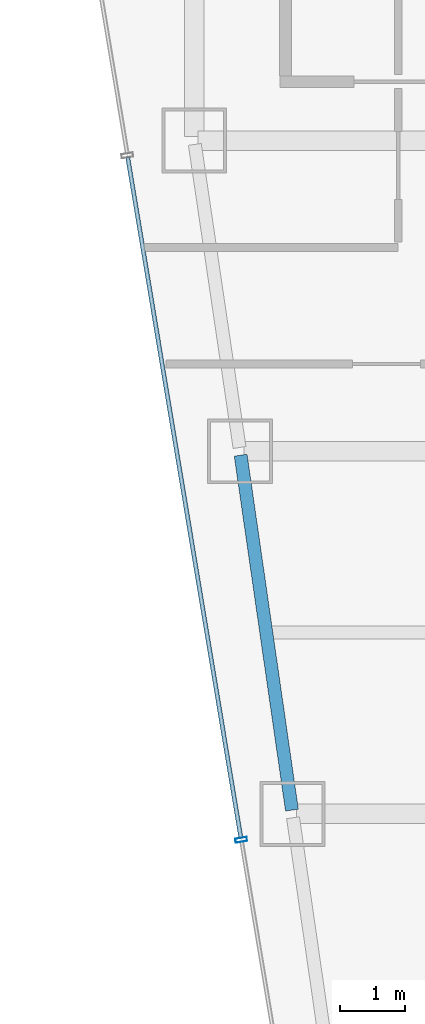
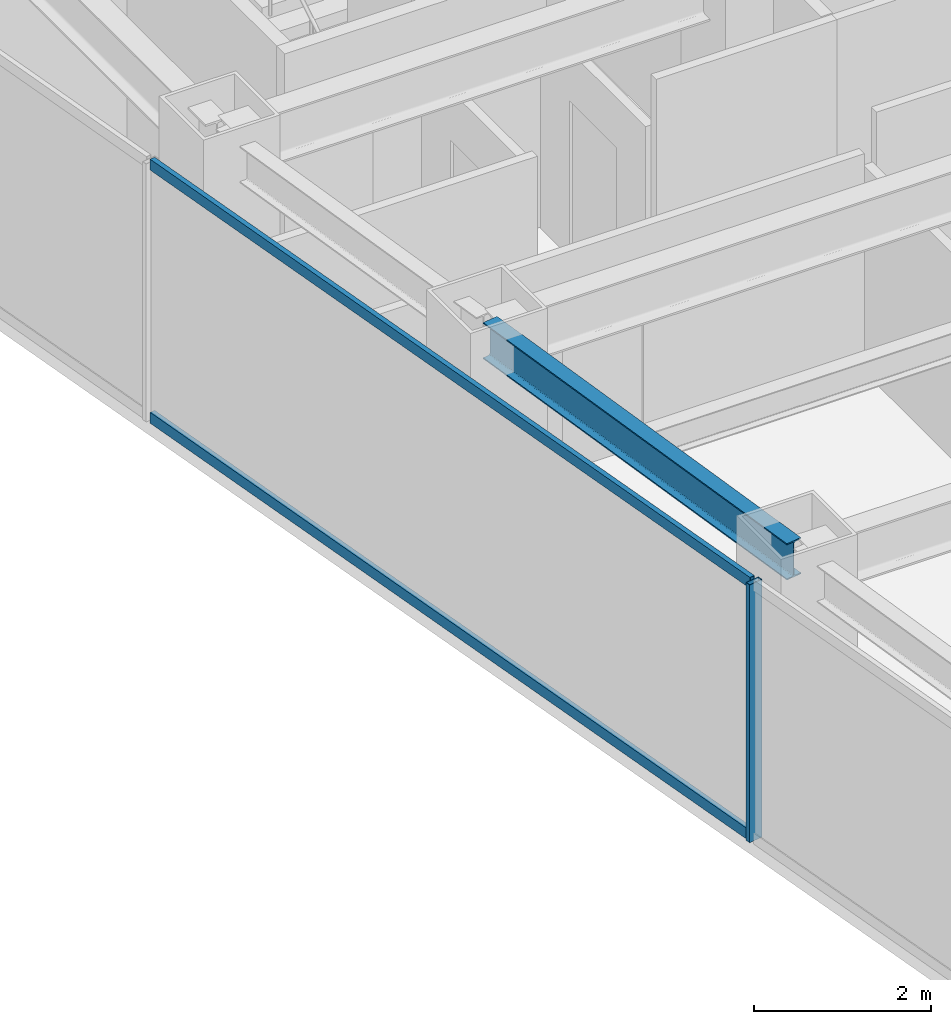
# One storey, part 9 of 38: 3 members, 1 beam, 1 element without a shape of its own.
"""IFC4 building model written with IfcOpenShell, lengths in metres."""

from ifc_helpers import new_model, si_unit, direction, frame, origin, origin_2d, place, context, subcontext, project, spatial, hollow_rectangle, i_section, extrude, material, material_profile, profile_set, type_object, element, aggregate, save


model = new_model("IFC4")

# Units and contexts
model_context = context("Model", 3, precision=1e-05, world=origin(), true_north=direction((0.0, 1.0)))
body_context = subcontext(model_context, "Body", "Model", "MODEL_VIEW")
ifc_project = project(units=[si_unit("LENGTHUNIT", "METRE"), si_unit("AREAUNIT", "SQUARE_METRE"), si_unit("VOLUMEUNIT", "CUBIC_METRE"), si_unit("PLANEANGLEUNIT", "RADIAN"), si_unit("MASSUNIT", "GRAM", prefix="KILO")], contexts=[model_context])

# Site, building, storey
site_placement = place(None, origin())
site = spatial("IfcSite", under=ifc_project, at=site_placement, CompositionType="ELEMENT")
building_placement = place(site_placement, origin())
building = spatial("IfcBuilding", under=site, at=building_placement, Name="Saevonmaru Cultural Tower", CompositionType="ELEMENT")
storey_placement = place(building_placement, frame((0.0, 0.0, 133.39990234375)))
storey = spatial("IfcBuildingStorey", under=building, at=storey_placement, Name="L28", CompositionType="ELEMENT", Elevation=133.39990234375)

# Beam
ifc_material_1 = material(Name="Steel SM355", Category="steel")
ifc_material_profile_1 = material_profile(ifc_material_1, i_section(OverallWidth=0.199951171875, OverallDepth=0.5, WebThickness=0.010009765625, FlangeThickness=0.01611328125, FilletRadius=0.02001953125, at=origin_2d()), Name="H-500x200x10x16")
ifc_profile_set_1 = profile_set([ifc_material_profile_1], Name="Steel SM355")
beam_type = type_object("IfcBeamType", Name="BM-SP-H500", PredefinedType="SPANDREL", material=ifc_profile_set_1)
beam_placement = place(storey_placement, frame((8.308349609375, 32.059326171875, 3.300048828125), z_axis=(-0.142964121327, 0.989727871697, 0.0), x_axis=(-0.989727871697, -0.142964121327, 0.0)))
element("IfcBeam", 1, at=beam_placement, inside=storey, type_object=beam_type, Name="L28 West Splayed Spandrel 4", PredefinedType="SPANDREL", context=body_context, shape_type="SweptSolid", body=[
    extrude(i_section(OverallWidth=0.199951171875, OverallDepth=0.5, WebThickness=0.010009765625, FlangeThickness=0.01611328125, FilletRadius=0.02001953125, at=origin_2d()), origin(), (0.0, 0.0, 1.0), 5.5380859375),
])

# Curtain wall, members
ifc_material_2 = material(Name="Satin Bronze Anodised Aluminium", Category="aluminium")
curtain_wall_type = type_object("IfcCurtainWallType", Name="CW-TYP-A", PredefinedType="NOTDEFINED", material=ifc_material_2)
curtain_wall_placement = place(storey_placement, origin())
curtain_wall = element("IfcCurtainWall", 2, at=curtain_wall_placement, inside=storey, type_object=curtain_wall_type, Name="L28 Unitised Curtain Wall E12", PredefinedType="NOTDEFINED")
ifc_material_profile_2 = material_profile(ifc_material_2, hollow_rectangle(XDim=0.06494140625, YDim=0.179931640625, WallThickness=0.00390625, at=origin_2d()), Name="ALU-MULL-180x65x4")
ifc_profile_set_2 = profile_set([ifc_material_profile_2], Name="Satin Bronze Anodised Aluminium")
member_type_1 = type_object("IfcMemberType", Name="ML-CW-180x65", PredefinedType="MULLION", material=ifc_profile_set_2)
member_1_placement = place(storey_placement, frame((7.5244140625, 31.60009765625, 0.0), z_axis=(0.0, 0.0, 1.0), x_axis=(0.163998702345, -0.986460554523, 0.0)))
member_1 = element("IfcMember", 3, at=member_1_placement, type_object=member_type_1, Name="CW-TW-L28-E12 mullion 3", PredefinedType="MULLION", context=body_context, shape_type="SweptSolid", body=[
    extrude(hollow_rectangle(XDim=0.06494140625, YDim=0.179931640625, WallThickness=0.00390625, at=origin_2d()), origin(), (0.0, 0.0, 1.0), 3.550048828125),
])
ifc_material_profile_3 = material_profile(ifc_material_2, hollow_rectangle(XDim=0.06494140625, YDim=0.14990234375, WallThickness=0.00390625, at=origin_2d()), Name="ALU-TRAN-150x65x4")
ifc_profile_set_3 = profile_set([ifc_material_profile_3], Name="Satin Bronze Anodised Aluminium")
member_type_2 = type_object("IfcMemberType", Name="TR-CW-150x65", PredefinedType="USERDEFINED", material=ifc_profile_set_3)
member_2_placement = place(storey_placement, frame((5.7724609375, 42.138427734375, 0.03271484375), z_axis=(0.163990079074, -0.9864619881, 0.0), x_axis=(0.9864619881, 0.163990079074, 0.0)))
member_2 = element("IfcMember", 4, at=member_2_placement, type_object=member_type_2, Name="CW-TW-L28-E12 transom 2.1", ObjectType="TRANSOM", PredefinedType="USERDEFINED", context=body_context, shape_type="SweptSolid", body=[
    extrude(hollow_rectangle(XDim=0.06494140625, YDim=0.14990234375, WallThickness=0.00390625, at=origin_2d()), origin(), (0.0, 0.0, 1.0), 10.650634765625),
])
member_3_placement = place(storey_placement, frame((5.7724609375, 42.138427734375, 3.517578125), z_axis=(0.163990079074, -0.9864619881, 0.0), x_axis=(0.9864619881, 0.163990079074, 0.0)))
member_3 = element("IfcMember", 5, at=member_3_placement, type_object=member_type_2, Name="CW-TW-L28-E12 transom 2.2", ObjectType="TRANSOM", PredefinedType="USERDEFINED", context=body_context, shape_type="SweptSolid", body=[
    extrude(hollow_rectangle(XDim=0.06494140625, YDim=0.14990234375, WallThickness=0.00390625, at=origin_2d()), origin(), (0.0, 0.0, 1.0), 10.650634765625),
])
aggregate(curtain_wall, [member_1, member_2, member_3])

save(model, "model.ifc")
